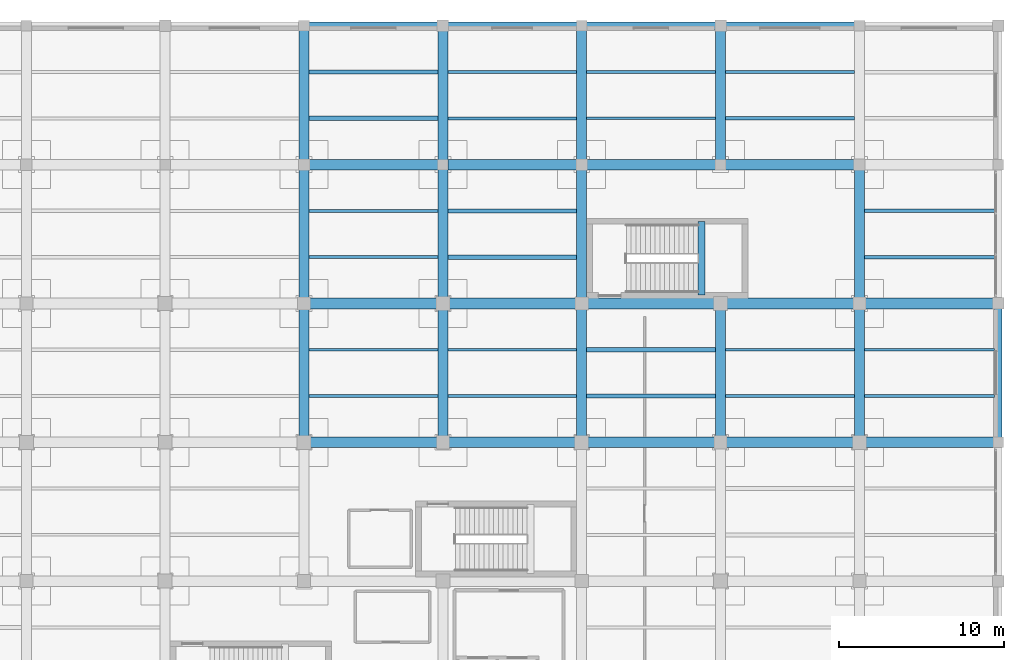
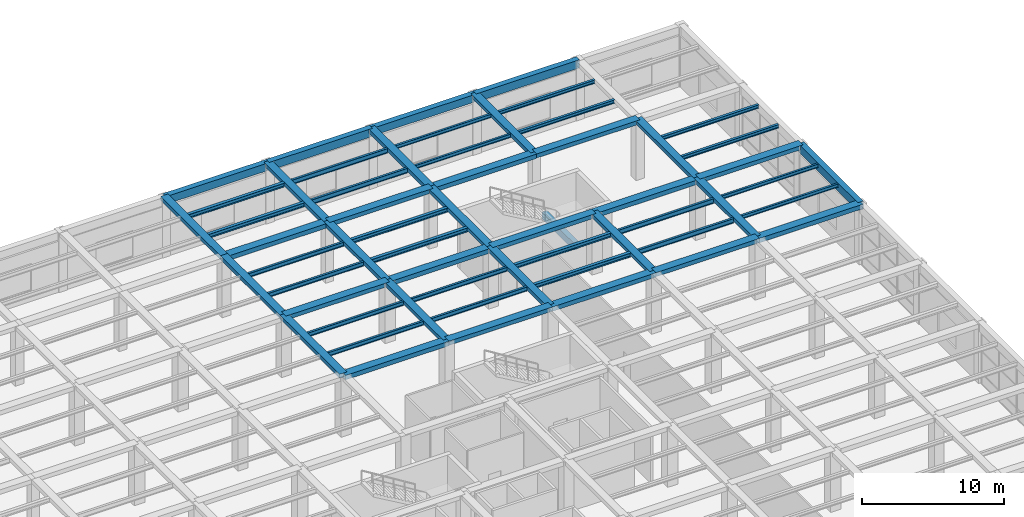
# One storey, part 37 of 65: 57 beams.
"""IFC4 building model written with IfcOpenShell, lengths in metres."""

from ifc_helpers import new_model, si_unit, direction, frame, origin, origin_2d, place, context, subcontext, project, spatial, rectangle, i_section, extrude, material, material_profile, profile_set, type_object, element, save


model = new_model("IFC4")

# Units and contexts
model_context = context("Model", 3, precision=1e-05, world=origin(), true_north=direction((0.0, 1.0)))
body_context = subcontext(model_context, "Body", "Model", "MODEL_VIEW")
ifc_project = project(units=[si_unit("LENGTHUNIT", "METRE"), si_unit("AREAUNIT", "SQUARE_METRE"), si_unit("VOLUMEUNIT", "CUBIC_METRE"), si_unit("PLANEANGLEUNIT", "RADIAN"), si_unit("MASSUNIT", "GRAM", prefix="KILO")], contexts=[model_context])

# Site, building, storey
site_placement = place(None, origin())
site = spatial("IfcSite", under=ifc_project, at=site_placement, CompositionType="ELEMENT")
building_placement = place(site_placement, origin())
building = spatial("IfcBuilding", under=site, at=building_placement, Name="Almacenes y Pasaje Nevantli", CompositionType="ELEMENT")
storey_placement = place(building_placement, frame((0.0, 0.0, 16.800048828125)))
storey = spatial("IfcBuildingStorey", under=building, at=storey_placement, Name="L04", CompositionType="ELEMENT", Elevation=16.800048828125)

# Beams
ifc_material_1 = material(Name="Concrete C35/45", Category="concrete")
ifc_material_profile_1 = material_profile(ifc_material_1, rectangle(XDim=0.39990234375, YDim=0.60009765625, at=origin_2d()), Name="RC-BM-400x600")
ifc_profile_set_1 = profile_set([ifc_material_profile_1], Name="Concrete C35/45")
beam_type_1 = type_object("IfcBeamType", Name="BM-RC-400x600", PredefinedType="SPANDREL", material=ifc_profile_set_1)
beam_1_placement = place(storey_placement, frame((150.050048828125, 101.300048828125, 2.199951171875), z_axis=(0.0, 1.0, 0.0), x_axis=(-1.0, 0.0, 0.0)))
element("IfcBeam", 1, at=beam_1_placement, inside=storey, type_object=beam_type_1, Name="L04 Stair ST-07 Half-Landing Support Beam", PredefinedType="SPANDREL", context=body_context, shape_type="SweptSolid", body=[
    extrude(rectangle(XDim=0.39990234375, YDim=0.60009765625, at=origin_2d()), origin(), (0.0, 0.0, 1.0), 4.449951171875),
])
ifc_material_2 = material(Name="Concrete C35/45", Category="concrete")
ifc_material_profile_2 = material_profile(ifc_material_2, rectangle(XDim=0.449951171875, YDim=0.64990234375, at=origin_2d()), Name="RC-BM-450x650")
ifc_profile_set_2 = profile_set([ifc_material_profile_2], Name="Concrete C35/45")
beam_type_2 = type_object("IfcBeamType", Name="BM-RC-450x650", PredefinedType="SPANDREL", material=ifc_profile_set_2)
for number, where, z_axis, x_axis, name in (
    (2, (126.0, 117.60009765625, 4.77490234375), (1.0, 0.0, 0.0), (0.0, 1.0, 0.0), "L04 East-West Reinforced Concrete Beam #2988"),
    (3, (142.800048828125, 117.60009765625, 4.77490234375), (1.0, 0.0, 0.0), (0.0, 1.0, 0.0), "L04 East-West Reinforced Concrete Beam #2990"),
):
    element("IfcBeam", number, at=place(storey_placement, frame(where, z_axis=z_axis, x_axis=x_axis)), inside=storey, type_object=beam_type_2, Name=name, PredefinedType="SPANDREL", context=body_context, shape_type="SweptSolid", body=[
        extrude(rectangle(XDim=0.449951171875, YDim=0.64990234375, at=origin_2d()), origin(), (0.0, 0.0, 1.0), 8.39990234375),
    ])
ifc_material_3 = material(Name="Concrete C35/45", Category="concrete")
ifc_material_profile_3 = material_profile(ifc_material_3, rectangle(XDim=0.449951171875, YDim=0.699951171875, at=origin_2d()), Name="RC-BM-450x700")
ifc_profile_set_3 = profile_set([ifc_material_profile_3], Name="Concrete C35/45")
beam_type_3 = type_object("IfcBeamType", Name="BM-RC-450x700", PredefinedType="SPANDREL", material=ifc_profile_set_3)
for number, where, z_axis, x_axis, name in (
    (4, (134.39990234375, 117.60009765625, 4.75), (1.0, 0.0, 0.0), (0.0, 1.0, 0.0), "L04 East-West Reinforced Concrete Beam #2989"),
    (5, (151.199951171875, 117.60009765625, 4.75), (1.0, 0.0, 0.0), (0.0, 1.0, 0.0), "L04 East-West Reinforced Concrete Beam #2991"),
    (6, (168.0, 92.39990234375, 4.75), (0.0, 1.0, 0.0), (-1.0, 0.0, 0.0), "L04 North-South Reinforced Concrete Beam #3226"),
):
    element("IfcBeam", number, at=place(storey_placement, frame(where, z_axis=z_axis, x_axis=x_axis)), inside=storey, type_object=beam_type_3, Name=name, PredefinedType="SPANDREL", context=body_context, shape_type="SweptSolid", body=[
        extrude(rectangle(XDim=0.449951171875, YDim=0.699951171875, at=origin_2d()), origin(), (0.0, 0.0, 1.0), 8.400146484375),
    ])
ifc_material_4 = material(Name="Concrete C35/45", Category="concrete")
ifc_material_profile_4 = material_profile(ifc_material_4, rectangle(XDim=0.60009765625, YDim=0.320068359375, at=origin_2d()), Name="RC-BM-600x320")
ifc_profile_set_4 = profile_set([ifc_material_profile_4], Name="Concrete C35/45")
beam_type_4 = type_object("IfcBeamType", Name="BM-RC-600x320", PredefinedType="BEAM", material=ifc_profile_set_4)
beam_2_placement = place(storey_placement, frame((126.0, 100.800048828125, 4.93994140625), z_axis=(0.0, 1.0, 0.0), x_axis=(-1.0, 0.0, 0.0)))
element("IfcBeam", 7, at=beam_2_placement, inside=storey, type_object=beam_type_4, Name="L04 North-South Reinforced Concrete Beam #3160", PredefinedType="BEAM", context=body_context, shape_type="SweptSolid", body=[
    extrude(rectangle(XDim=0.60009765625, YDim=0.320068359375, at=origin_2d()), origin(), (0.0, 0.0, 1.0), 8.39990234375),
])
for number, where, z_axis, x_axis, name in (
    (8, (134.39990234375, 92.39990234375, 4.93994140625), (0.0, 1.0, 0.0), (-1.0, 0.0, 0.0), "L04 North-South Reinforced Concrete Beam #3171"),
    (9, (134.39990234375, 109.199951171875, 4.93994140625), (0.0, 1.0, 0.0), (-1.0, 0.0, 0.0), "L04 North-South Reinforced Concrete Beam #3173"),
):
    element("IfcBeam", number, at=place(storey_placement, frame(where, z_axis=z_axis, x_axis=x_axis)), inside=storey, type_object=beam_type_4, Name=name, PredefinedType="BEAM", context=body_context, shape_type="SweptSolid", body=[
        extrude(rectangle(XDim=0.60009765625, YDim=0.320068359375, at=origin_2d()), origin(), (0.0, 0.0, 1.0), 8.400146484375),
    ])
beam_3_placement = place(storey_placement, frame((142.800048828125, 100.800048828125, 4.93994140625), z_axis=(0.0, 1.0, 0.0), x_axis=(-1.0, 0.0, 0.0)))
element("IfcBeam", 10, at=beam_3_placement, inside=storey, type_object=beam_type_4, Name="L04 North-South Reinforced Concrete Beam #3186", PredefinedType="BEAM", context=body_context, shape_type="SweptSolid", body=[
    extrude(rectangle(XDim=0.60009765625, YDim=0.320068359375, at=origin_2d()), origin(), (0.0, 0.0, 1.0), 8.39990234375),
])
for number, where, z_axis, x_axis, name in (
    (11, (151.199951171875, 92.39990234375, 4.93994140625), (0.0, 1.0, 0.0), (-1.0, 0.0, 0.0), "L04 North-South Reinforced Concrete Beam #3199"),
    (12, (151.199951171875, 109.199951171875, 4.93994140625), (0.0, 1.0, 0.0), (-1.0, 0.0, 0.0), "L04 North-South Reinforced Concrete Beam #3200"),
):
    element("IfcBeam", number, at=place(storey_placement, frame(where, z_axis=z_axis, x_axis=x_axis)), inside=storey, type_object=beam_type_4, Name=name, PredefinedType="BEAM", context=body_context, shape_type="SweptSolid", body=[
        extrude(rectangle(XDim=0.60009765625, YDim=0.320068359375, at=origin_2d()), origin(), (0.0, 0.0, 1.0), 8.400146484375),
    ])
beam_4_placement = place(storey_placement, frame((159.60009765625, 100.800048828125, 4.93994140625), z_axis=(0.0, 1.0, 0.0), x_axis=(-1.0, 0.0, 0.0)))
element("IfcBeam", 13, at=beam_4_placement, inside=storey, type_object=beam_type_4, Name="L04 North-South Reinforced Concrete Beam #3213", PredefinedType="BEAM", context=body_context, shape_type="SweptSolid", body=[
    extrude(rectangle(XDim=0.60009765625, YDim=0.320068359375, at=origin_2d()), origin(), (0.0, 0.0, 1.0), 8.39990234375),
])
ifc_material_5 = material(Name="Concrete C35/45", Category="concrete")
ifc_material_profile_5 = material_profile(ifc_material_5, rectangle(XDim=0.60009765625, YDim=0.340087890625, at=origin_2d()), Name="RC-BM-600x340")
ifc_profile_set_5 = profile_set([ifc_material_profile_5], Name="Concrete C35/45")
beam_type_5 = type_object("IfcBeamType", Name="BM-RC-600x340", PredefinedType="BEAM", material=ifc_profile_set_5)
for number, where, z_axis, x_axis, name in (
    (14, (126.0, 92.39990234375, 4.929931640625), (0.0, 1.0, 0.0), (-1.0, 0.0, 0.0), "L04 North-South Reinforced Concrete Beam #3159"),
    (15, (126.0, 109.199951171875, 4.929931640625), (0.0, 1.0, 0.0), (-1.0, 0.0, 0.0), "L04 North-South Reinforced Concrete Beam #3161"),
):
    element("IfcBeam", number, at=place(storey_placement, frame(where, z_axis=z_axis, x_axis=x_axis)), inside=storey, type_object=beam_type_5, Name=name, PredefinedType="BEAM", context=body_context, shape_type="SweptSolid", body=[
        extrude(rectangle(XDim=0.60009765625, YDim=0.340087890625, at=origin_2d()), origin(), (0.0, 0.0, 1.0), 8.400146484375),
    ])
beam_5_placement = place(storey_placement, frame((134.39990234375, 100.800048828125, 4.929931640625), z_axis=(0.0, 1.0, 0.0), x_axis=(-1.0, 0.0, 0.0)))
element("IfcBeam", 16, at=beam_5_placement, inside=storey, type_object=beam_type_5, Name="L04 North-South Reinforced Concrete Beam #3172", PredefinedType="BEAM", context=body_context, shape_type="SweptSolid", body=[
    extrude(rectangle(XDim=0.60009765625, YDim=0.340087890625, at=origin_2d()), origin(), (0.0, 0.0, 1.0), 8.39990234375),
])
for number, where, z_axis, x_axis, name in (
    (17, (142.800048828125, 92.39990234375, 4.929931640625), (0.0, 1.0, 0.0), (-1.0, 0.0, 0.0), "L04 North-South Reinforced Concrete Beam #3185"),
    (18, (142.800048828125, 109.199951171875, 4.929931640625), (0.0, 1.0, 0.0), (-1.0, 0.0, 0.0), "L04 North-South Reinforced Concrete Beam #3187"),
    (19, (159.60009765625, 92.39990234375, 4.929931640625), (0.0, 1.0, 0.0), (-1.0, 0.0, 0.0), "L04 North-South Reinforced Concrete Beam #3212"),
):
    element("IfcBeam", number, at=place(storey_placement, frame(where, z_axis=z_axis, x_axis=x_axis)), inside=storey, type_object=beam_type_5, Name=name, PredefinedType="BEAM", context=body_context, shape_type="SweptSolid", body=[
        extrude(rectangle(XDim=0.60009765625, YDim=0.340087890625, at=origin_2d()), origin(), (0.0, 0.0, 1.0), 8.400146484375),
    ])
ifc_material_6 = material(Name="Concrete C35/45", Category="concrete")
ifc_material_profile_6 = material_profile(ifc_material_6, rectangle(XDim=0.64990234375, YDim=0.35009765625, at=origin_2d()), Name="RC-BM-650x350")
ifc_profile_set_6 = profile_set([ifc_material_profile_6], Name="Concrete C35/45")
beam_type_6 = type_object("IfcBeamType", Name="BM-RC-650x350", PredefinedType="BEAM", material=ifc_profile_set_6)
for number, where, z_axis, x_axis, name in (
    (20, (134.39990234375, 92.39990234375, 4.925048828125), (1.0, 0.0, 0.0), (0.0, 1.0, 0.0), "L04 East-West Reinforced Concrete Beam #2935"),
    (21, (151.199951171875, 92.39990234375, 4.925048828125), (1.0, 0.0, 0.0), (0.0, 1.0, 0.0), "L04 East-West Reinforced Concrete Beam #2937"),
):
    element("IfcBeam", number, at=place(storey_placement, frame(where, z_axis=z_axis, x_axis=x_axis)), inside=storey, type_object=beam_type_6, Name=name, PredefinedType="BEAM", context=body_context, shape_type="SweptSolid", body=[
        extrude(rectangle(XDim=0.64990234375, YDim=0.35009765625, at=origin_2d()), origin(), (0.0, 0.0, 1.0), 8.400146484375),
    ])
for number, where, z_axis, x_axis, name in (
    (22, (126.0, 100.800048828125, 4.925048828125), (1.0, 0.0, 0.0), (0.0, 1.0, 0.0), "L04 East-West Reinforced Concrete Beam #2951"),
    (23, (142.800048828125, 100.800048828125, 4.925048828125), (1.0, 0.0, 0.0), (0.0, 1.0, 0.0), "L04 East-West Reinforced Concrete Beam #2953"),
    (24, (159.60009765625, 100.800048828125, 4.925048828125), (1.0, 0.0, 0.0), (0.0, 1.0, 0.0), "L04 East-West Reinforced Concrete Beam #2955"),
):
    element("IfcBeam", number, at=place(storey_placement, frame(where, z_axis=z_axis, x_axis=x_axis)), inside=storey, type_object=beam_type_6, Name=name, PredefinedType="BEAM", context=body_context, shape_type="SweptSolid", body=[
        extrude(rectangle(XDim=0.64990234375, YDim=0.35009765625, at=origin_2d()), origin(), (0.0, 0.0, 1.0), 8.39990234375),
    ])
for number, where, z_axis, x_axis, name in (
    (25, (134.39990234375, 109.199951171875, 4.925048828125), (1.0, 0.0, 0.0), (0.0, 1.0, 0.0), "L04 East-West Reinforced Concrete Beam #2969"),
    (26, (151.199951171875, 109.199951171875, 4.925048828125), (1.0, 0.0, 0.0), (0.0, 1.0, 0.0), "L04 East-West Reinforced Concrete Beam #2971"),
):
    element("IfcBeam", number, at=place(storey_placement, frame(where, z_axis=z_axis, x_axis=x_axis)), inside=storey, type_object=beam_type_6, Name=name, PredefinedType="BEAM", context=body_context, shape_type="SweptSolid", body=[
        extrude(rectangle(XDim=0.64990234375, YDim=0.35009765625, at=origin_2d()), origin(), (0.0, 0.0, 1.0), 8.400146484375),
    ])
ifc_material_7 = material(Name="Concrete C35/45", Category="concrete")
ifc_material_profile_7 = material_profile(ifc_material_7, rectangle(XDim=0.64990234375, YDim=0.3798828125, at=origin_2d()), Name="RC-BM-650x380")
ifc_profile_set_7 = profile_set([ifc_material_profile_7], Name="Concrete C35/45")
beam_type_7 = type_object("IfcBeamType", Name="BM-RC-650x380", PredefinedType="BEAM", material=ifc_profile_set_7)
for number, where, z_axis, x_axis, name in (
    (27, (126.0, 92.39990234375, 4.909912109375), (1.0, 0.0, 0.0), (0.0, 1.0, 0.0), "L04 East-West Reinforced Concrete Beam #2934"),
    (28, (142.800048828125, 92.39990234375, 4.909912109375), (1.0, 0.0, 0.0), (0.0, 1.0, 0.0), "L04 East-West Reinforced Concrete Beam #2936"),
    (29, (159.60009765625, 92.39990234375, 4.909912109375), (1.0, 0.0, 0.0), (0.0, 1.0, 0.0), "L04 East-West Reinforced Concrete Beam #2938"),
):
    element("IfcBeam", number, at=place(storey_placement, frame(where, z_axis=z_axis, x_axis=x_axis)), inside=storey, type_object=beam_type_7, Name=name, PredefinedType="BEAM", context=body_context, shape_type="SweptSolid", body=[
        extrude(rectangle(XDim=0.64990234375, YDim=0.3798828125, at=origin_2d()), origin(), (0.0, 0.0, 1.0), 8.39990234375),
    ])
for number, where, z_axis, x_axis, name in (
    (30, (134.39990234375, 100.800048828125, 4.909912109375), (1.0, 0.0, 0.0), (0.0, 1.0, 0.0), "L04 East-West Reinforced Concrete Beam #2952"),
    (31, (151.199951171875, 100.800048828125, 4.909912109375), (1.0, 0.0, 0.0), (0.0, 1.0, 0.0), "L04 East-West Reinforced Concrete Beam #2954"),
):
    element("IfcBeam", number, at=place(storey_placement, frame(where, z_axis=z_axis, x_axis=x_axis)), inside=storey, type_object=beam_type_7, Name=name, PredefinedType="BEAM", context=body_context, shape_type="SweptSolid", body=[
        extrude(rectangle(XDim=0.64990234375, YDim=0.3798828125, at=origin_2d()), origin(), (0.0, 0.0, 1.0), 8.400146484375),
    ])
for number, where, z_axis, x_axis, name in (
    (32, (126.0, 109.199951171875, 4.909912109375), (1.0, 0.0, 0.0), (0.0, 1.0, 0.0), "L04 East-West Reinforced Concrete Beam #2968"),
    (33, (142.800048828125, 109.199951171875, 4.909912109375), (1.0, 0.0, 0.0), (0.0, 1.0, 0.0), "L04 East-West Reinforced Concrete Beam #2970"),
):
    element("IfcBeam", number, at=place(storey_placement, frame(where, z_axis=z_axis, x_axis=x_axis)), inside=storey, type_object=beam_type_7, Name=name, PredefinedType="BEAM", context=body_context, shape_type="SweptSolid", body=[
        extrude(rectangle(XDim=0.64990234375, YDim=0.3798828125, at=origin_2d()), origin(), (0.0, 0.0, 1.0), 8.39990234375),
    ])
ifc_material_8 = material(Name="Steel ASTM A992", Category="steel")
ifc_material_profile_8 = material_profile(ifc_material_8, i_section(OverallWidth=0.1650390625, OverallDepth=0.306884765625, WebThickness=0.006591796875, FlangeThickness=0.01025390625, at=origin_2d()), Name="IR 305x44.6")
ifc_profile_set_8 = profile_set([ifc_material_profile_8], Name="Steel ASTM A992")
beam_type_8 = type_object("IfcBeamType", Name="BM-STL-IR-305x44p6", PredefinedType="JOIST", material=ifc_profile_set_8)
for number, where, z_axis, x_axis, name in (
    (34, (143.10009765625, 112.0, 4.9384765625), (1.0, 0.0, 0.0), (0.0, 1.0, 0.0), "L04 Secondary Steel Floor Joist #1297"),
    (35, (143.10009765625, 114.800048828125, 4.9384765625), (1.0, 0.0, 0.0), (0.0, 1.0, 0.0), "L04 Secondary Steel Floor Joist #1298"),
):
    element("IfcBeam", number, at=place(storey_placement, frame(where, z_axis=z_axis, x_axis=x_axis)), inside=storey, type_object=beam_type_8, Name=name, PredefinedType="JOIST", context=body_context, shape_type="SweptSolid", body=[
        extrude(i_section(OverallWidth=0.1650390625, OverallDepth=0.306884765625, WebThickness=0.006591796875, FlangeThickness=0.01025390625, at=origin_2d()), origin(), (0.0, 0.0, 1.0), 7.7998046875),
    ])
for number, where, z_axis, x_axis, name in (
    (36, (159.89990234375, 95.199951171875, 4.9384765625), (1.0, 0.0, 0.0), (0.0, 1.0, 0.0), "L04 Secondary Steel Floor Joist #1347"),
    (37, (159.89990234375, 98.0, 4.9384765625), (1.0, 0.0, 0.0), (0.0, 1.0, 0.0), "L04 Secondary Steel Floor Joist #1348"),
):
    element("IfcBeam", number, at=place(storey_placement, frame(where, z_axis=z_axis, x_axis=x_axis)), inside=storey, type_object=beam_type_8, Name=name, PredefinedType="JOIST", context=body_context, shape_type="SweptSolid", body=[
        extrude(i_section(OverallWidth=0.1650390625, OverallDepth=0.306884765625, WebThickness=0.006591796875, FlangeThickness=0.01025390625, at=origin_2d()), origin(), (0.0, 0.0, 1.0), 7.875),
    ])
ifc_material_9 = material(Name="Steel ASTM A992", Category="steel")
ifc_material_profile_9 = material_profile(ifc_material_9, i_section(OverallWidth=0.202880859375, OverallDepth=0.304931640625, WebThickness=0.007568359375, FlangeThickness=0.01318359375, at=origin_2d()), Name="IR 305x59.5")
ifc_profile_set_9 = profile_set([ifc_material_profile_9], Name="Steel ASTM A992")
beam_type_9 = type_object("IfcBeamType", Name="BM-STL-IR-305x59p5", PredefinedType="JOIST", material=ifc_profile_set_9)
for number, where, z_axis, x_axis, name in (
    (38, (151.5, 112.0, 4.939453125), (1.0, 0.0, 0.0), (0.0, 1.0, 0.0), "L04 Secondary Steel Floor Joist #1323"),
    (39, (151.5, 114.800048828125, 4.939453125), (1.0, 0.0, 0.0), (0.0, 1.0, 0.0), "L04 Secondary Steel Floor Joist #1324"),
):
    element("IfcBeam", number, at=place(storey_placement, frame(where, z_axis=z_axis, x_axis=x_axis)), inside=storey, type_object=beam_type_9, Name=name, PredefinedType="JOIST", context=body_context, shape_type="SweptSolid", body=[
        extrude(i_section(OverallWidth=0.202880859375, OverallDepth=0.304931640625, WebThickness=0.007568359375, FlangeThickness=0.01318359375, at=origin_2d()), origin(), (0.0, 0.0, 1.0), 7.800048828125),
    ])
for number, where, z_axis, x_axis, name in (
    (40, (159.89990234375, 103.60009765625, 4.939453125), (1.0, 0.0, 0.0), (0.0, 1.0, 0.0), "L04 Secondary Steel Floor Joist #1349"),
    (41, (159.89990234375, 106.39990234375, 4.939453125), (1.0, 0.0, 0.0), (0.0, 1.0, 0.0), "L04 Secondary Steel Floor Joist #1350"),
):
    element("IfcBeam", number, at=place(storey_placement, frame(where, z_axis=z_axis, x_axis=x_axis)), inside=storey, type_object=beam_type_9, Name=name, PredefinedType="JOIST", context=body_context, shape_type="SweptSolid", body=[
        extrude(i_section(OverallWidth=0.202880859375, OverallDepth=0.304931640625, WebThickness=0.007568359375, FlangeThickness=0.01318359375, at=origin_2d()), origin(), (0.0, 0.0, 1.0), 7.875),
    ])
ifc_material_10 = material(Name="Steel ASTM A992", Category="steel")
ifc_material_profile_10 = material_profile(ifc_material_10, i_section(OverallWidth=0.173095703125, OverallDepth=0.35302734375, WebThickness=0.0078125, FlangeThickness=0.01318359375, at=origin_2d()), Name="IR 356x56.6")
ifc_profile_set_10 = profile_set([ifc_material_profile_10], Name="Steel ASTM A992")
beam_type_10 = type_object("IfcBeamType", Name="BM-STL-IR-356x56p6", PredefinedType="JOIST", material=ifc_profile_set_10)
for number, where, z_axis, x_axis, name in (
    (42, (126.300048828125, 95.199951171875, 4.91552734375), (1.0, 0.0, 0.0), (0.0, 1.0, 0.0), "L04 Secondary Steel Floor Joist #1247"),
    (43, (126.300048828125, 98.0, 4.91552734375), (1.0, 0.0, 0.0), (0.0, 1.0, 0.0), "L04 Secondary Steel Floor Joist #1248"),
):
    element("IfcBeam", number, at=place(storey_placement, frame(where, z_axis=z_axis, x_axis=x_axis)), inside=storey, type_object=beam_type_10, Name=name, PredefinedType="JOIST", context=body_context, shape_type="SweptSolid", body=[
        extrude(i_section(OverallWidth=0.173095703125, OverallDepth=0.35302734375, WebThickness=0.0078125, FlangeThickness=0.01318359375, at=origin_2d()), origin(), (0.0, 0.0, 1.0), 7.800048828125),
    ])
ifc_material_11 = material(Name="Steel ASTM A992", Category="steel")
ifc_material_profile_11 = material_profile(ifc_material_11, i_section(OverallWidth=0.173095703125, OverallDepth=0.364013671875, WebThickness=0.009033203125, FlangeThickness=0.015625, at=origin_2d()), Name="IR 356x67.0")
ifc_profile_set_11 = profile_set([ifc_material_profile_11], Name="Steel ASTM A992")
beam_type_11 = type_object("IfcBeamType", Name="BM-STL-IR-356x67p0", PredefinedType="JOIST", material=ifc_profile_set_11)
for number, where, z_axis, x_axis, name in (
    (44, (126.300048828125, 103.60009765625, 4.909912109375), (1.0, 0.0, 0.0), (0.0, 1.0, 0.0), "L04 Secondary Steel Floor Joist #1249"),
    (45, (126.300048828125, 106.39990234375, 4.909912109375), (1.0, 0.0, 0.0), (0.0, 1.0, 0.0), "L04 Secondary Steel Floor Joist #1250"),
    (46, (134.699951171875, 95.199951171875, 4.909912109375), (1.0, 0.0, 0.0), (0.0, 1.0, 0.0), "L04 Secondary Steel Floor Joist #1269"),
    (47, (134.699951171875, 98.0, 4.909912109375), (1.0, 0.0, 0.0), (0.0, 1.0, 0.0), "L04 Secondary Steel Floor Joist #1270"),
):
    element("IfcBeam", number, at=place(storey_placement, frame(where, z_axis=z_axis, x_axis=x_axis)), inside=storey, type_object=beam_type_11, Name=name, PredefinedType="JOIST", context=body_context, shape_type="SweptSolid", body=[
        extrude(i_section(OverallWidth=0.173095703125, OverallDepth=0.364013671875, WebThickness=0.009033203125, FlangeThickness=0.015625, at=origin_2d()), origin(), (0.0, 0.0, 1.0), 7.800048828125),
    ])
ifc_material_12 = material(Name="Steel ASTM A992", Category="steel")
ifc_material_profile_12 = material_profile(ifc_material_12, i_section(OverallWidth=0.25390625, OverallDepth=0.35595703125, WebThickness=0.009521484375, FlangeThickness=0.016357421875, at=origin_2d()), Name="IR 356x79.0")
ifc_profile_set_12 = profile_set([ifc_material_profile_12], Name="Steel ASTM A992")
beam_type_12 = type_object("IfcBeamType", Name="BM-STL-IR-356x79p0", PredefinedType="JOIST", material=ifc_profile_set_12)
for number, where, z_axis, x_axis, name in (
    (48, (126.300048828125, 112.0, 4.9140625), (1.0, 0.0, 0.0), (0.0, 1.0, 0.0), "L04 Secondary Steel Floor Joist #1251"),
    (49, (126.300048828125, 114.800048828125, 4.9140625), (1.0, 0.0, 0.0), (0.0, 1.0, 0.0), "L04 Secondary Steel Floor Joist #1252"),
    (50, (134.699951171875, 103.60009765625, 4.9140625), (1.0, 0.0, 0.0), (0.0, 1.0, 0.0), "L04 Secondary Steel Floor Joist #1271"),
    (51, (134.699951171875, 106.39990234375, 4.9140625), (1.0, 0.0, 0.0), (0.0, 1.0, 0.0), "L04 Secondary Steel Floor Joist #1272"),
):
    element("IfcBeam", number, at=place(storey_placement, frame(where, z_axis=z_axis, x_axis=x_axis)), inside=storey, type_object=beam_type_12, Name=name, PredefinedType="JOIST", context=body_context, shape_type="SweptSolid", body=[
        extrude(i_section(OverallWidth=0.25390625, OverallDepth=0.35595703125, WebThickness=0.009521484375, FlangeThickness=0.016357421875, at=origin_2d()), origin(), (0.0, 0.0, 1.0), 7.800048828125),
    ])
for number, where, z_axis, x_axis, name in (
    (52, (143.10009765625, 95.199951171875, 4.9140625), (1.0, 0.0, 0.0), (0.0, 1.0, 0.0), "L04 Secondary Steel Floor Joist #1295"),
    (53, (143.10009765625, 98.0, 4.9140625), (1.0, 0.0, 0.0), (0.0, 1.0, 0.0), "L04 Secondary Steel Floor Joist #1296"),
):
    element("IfcBeam", number, at=place(storey_placement, frame(where, z_axis=z_axis, x_axis=x_axis)), inside=storey, type_object=beam_type_12, Name=name, PredefinedType="JOIST", context=body_context, shape_type="SweptSolid", body=[
        extrude(i_section(OverallWidth=0.25390625, OverallDepth=0.35595703125, WebThickness=0.009521484375, FlangeThickness=0.016357421875, at=origin_2d()), origin(), (0.0, 0.0, 1.0), 7.7998046875),
    ])
ifc_material_13 = material(Name="Steel ASTM A992", Category="steel")
ifc_material_profile_13 = material_profile(ifc_material_13, i_section(OverallWidth=0.178955078125, OverallDepth=0.406005859375, WebThickness=0.0087890625, FlangeThickness=0.014404296875, at=origin_2d()), Name="IR 406x67.0")
ifc_profile_set_13 = profile_set([ifc_material_profile_13], Name="Steel ASTM A992")
beam_type_13 = type_object("IfcBeamType", Name="BM-STL-IR-406x67p0", PredefinedType="JOIST", material=ifc_profile_set_13)
for number, where, z_axis, x_axis, name in (
    (54, (134.699951171875, 112.0, 4.888916015625), (1.0, 0.0, 0.0), (0.0, 1.0, 0.0), "L04 Secondary Steel Floor Joist #1273"),
    (55, (134.699951171875, 114.800048828125, 4.888916015625), (1.0, 0.0, 0.0), (0.0, 1.0, 0.0), "L04 Secondary Steel Floor Joist #1274"),
    (56, (151.5, 95.199951171875, 4.888916015625), (1.0, 0.0, 0.0), (0.0, 1.0, 0.0), "L04 Secondary Steel Floor Joist #1321"),
    (57, (151.5, 98.0, 4.888916015625), (1.0, 0.0, 0.0), (0.0, 1.0, 0.0), "L04 Secondary Steel Floor Joist #1322"),
):
    element("IfcBeam", number, at=place(storey_placement, frame(where, z_axis=z_axis, x_axis=x_axis)), inside=storey, type_object=beam_type_13, Name=name, PredefinedType="JOIST", context=body_context, shape_type="SweptSolid", body=[
        extrude(i_section(OverallWidth=0.178955078125, OverallDepth=0.406005859375, WebThickness=0.0087890625, FlangeThickness=0.014404296875, at=origin_2d()), origin(), (0.0, 0.0, 1.0), 7.800048828125),
    ])

save(model, "model.ifc")
